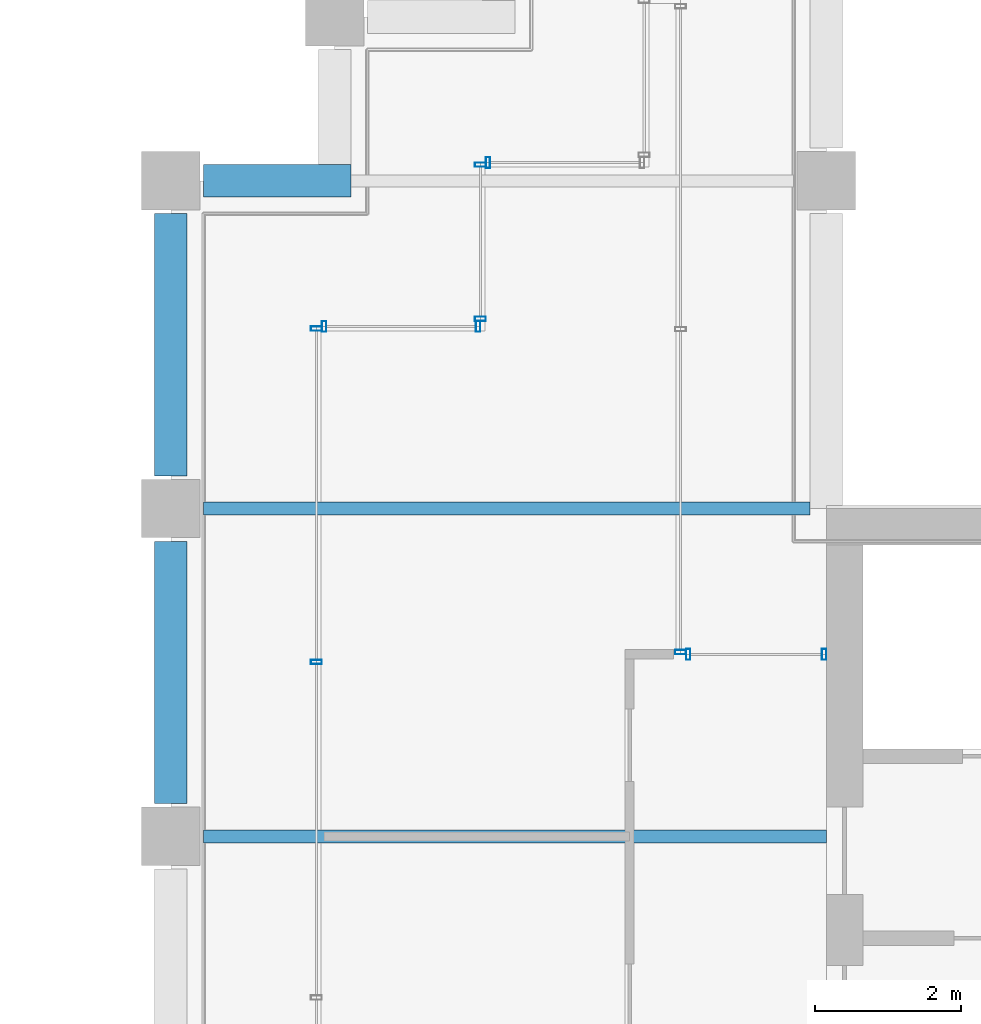
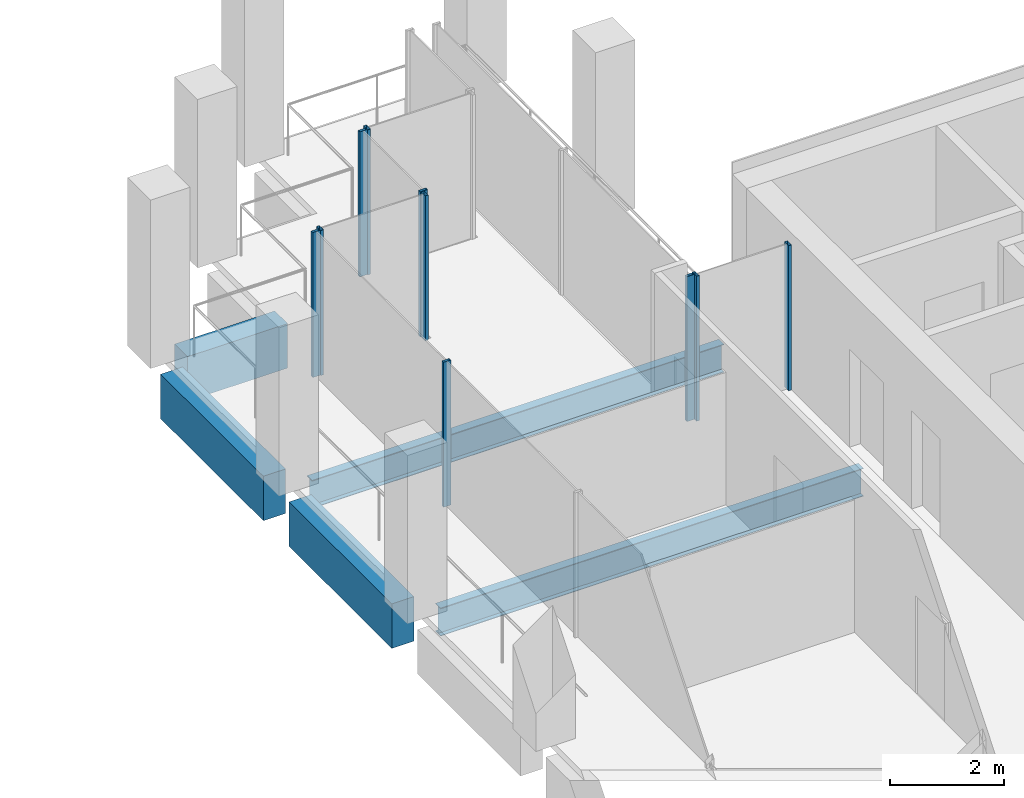
# One storey, part 32 of 40: 10 members, 5 beams, 6 elements without a shape of their own.
"""IFC4 building model written with IfcOpenShell, lengths in metres."""

from ifc_helpers import new_model, si_unit, direction, frame, origin, origin_2d, place, context, subcontext, project, spatial, rectangle, hollow_rectangle, i_section, extrude, material, material_profile, profile_set, type_object, element, aggregate, save


model = new_model("IFC4")

# Units and contexts
model_context = context("Model", 3, precision=1e-05, world=origin(), true_north=direction((0.0, 1.0)))
body_context = subcontext(model_context, "Body", "Model", "MODEL_VIEW")
ifc_project = project(units=[si_unit("LENGTHUNIT", "METRE"), si_unit("AREAUNIT", "SQUARE_METRE"), si_unit("VOLUMEUNIT", "CUBIC_METRE"), si_unit("PLANEANGLEUNIT", "RADIAN"), si_unit("MASSUNIT", "GRAM", prefix="KILO")], contexts=[model_context])

# Site, building, storey
site_placement = place(None, origin())
site = spatial("IfcSite", under=ifc_project, at=site_placement, CompositionType="ELEMENT")
building_placement = place(site_placement, origin())
building = spatial("IfcBuilding", under=site, at=building_placement, Name="Altepetl Exchange Towers", CompositionType="ELEMENT")
storey_placement = place(building_placement, frame((0.0, 0.0, 195.60009765625)))
storey = spatial("IfcBuildingStorey", under=building, at=storey_placement, Name="L49", CompositionType="ELEMENT", Elevation=195.60009765625)

# Beams
ifc_material_1 = material(Name="Steel S355", Category="steel")
ifc_material_profile_1 = material_profile(ifc_material_1, i_section(OverallWidth=0.177978515625, OverallDepth=0.59912109375, WebThickness=0.010009765625, FlangeThickness=0.0126953125, at=origin_2d()), Name="W24X55")
ifc_profile_set_1 = profile_set([ifc_material_profile_1], Name="Steel S355")
beam_type_1 = type_object("IfcBeamType", Name="Floor beam W24X55", PredefinedType="BEAM", material=ifc_profile_set_1)
beam_1_placement = place(storey_placement, frame((94.949951171875, 45.0, -0.44970703125), z_axis=(1.0, 0.0, 0.0), x_axis=(0.0, 1.0, 0.0)))
element("IfcBeam", 1, at=beam_1_placement, inside=storey, type_object=beam_type_1, Name="bm:B:L49:005", PredefinedType="BEAM", context=body_context, shape_type="SweptSolid", body=[
    extrude(i_section(OverallWidth=0.177978515625, OverallDepth=0.59912109375, WebThickness=0.010009765625, FlangeThickness=0.0126953125, at=origin_2d()), origin(), (0.0, 0.0, 1.0), 8.550048828125),
])
beam_2_placement = place(storey_placement, frame((94.949951171875, 49.5, -0.44970703125), z_axis=(1.0, 0.0, 0.0), x_axis=(0.0, 1.0, 0.0)))
element("IfcBeam", 2, at=beam_2_placement, inside=storey, type_object=beam_type_1, Name="bm:B:L49:006", PredefinedType="BEAM", context=body_context, shape_type="SweptSolid", body=[
    extrude(i_section(OverallWidth=0.177978515625, OverallDepth=0.59912109375, WebThickness=0.010009765625, FlangeThickness=0.0126953125, at=origin_2d()), origin(), (0.0, 0.0, 1.0), 8.324951171875),
])

# Curtain wall, members
ifc_material_2 = material(Name="Aluminium 6063-T6 glazing", Category="aluminium")
curtain_wall_type = type_object("IfcCurtainWallType", Name="Loggia glazing system", PredefinedType="NOTDEFINED", material=ifc_material_2)
curtain_wall_1_placement = place(storey_placement, origin())
curtain_wall_1 = element("IfcCurtainWall", 3, at=curtain_wall_1_placement, inside=storey, type_object=curtain_wall_type, Name="CW1 run", PredefinedType="NOTDEFINED")
ifc_material_3 = material(Name="Aluminium 6063-T6", Category="aluminium")
ifc_material_profile_2 = material_profile(ifc_material_3, hollow_rectangle(XDim=0.06005859375, YDim=0.14990234375, WallThickness=0.0029296875, at=origin_2d()), Name="Mullion 60x150 aluminium")
ifc_profile_set_2 = profile_set([ifc_material_profile_2], Name="Aluminium 6063-T6")
member_type = type_object("IfcMemberType", Name="Mullion 60x150 aluminium", PredefinedType="MULLION", material=ifc_profile_set_2)
member_1_placement = place(storey_placement, frame((103.469970703125, 47.5, 0.0), z_axis=(0.0, 0.0, 1.0), x_axis=(-1.0, 0.0, 0.0)))
member_1 = element("IfcMember", 4, at=member_1_placement, type_object=member_type, Name="MU1 mullion", PredefinedType="MULLION", context=body_context, shape_type="SweptSolid", body=[
    extrude(hollow_rectangle(XDim=0.06005859375, YDim=0.14990234375, WallThickness=0.0029296875, at=origin_2d()), origin(), (0.0, 0.0, 1.0), 3.099853515625),
])
member_2_placement = place(storey_placement, frame((101.60498046875, 47.5, 0.0), z_axis=(0.0, 0.0, 1.0), x_axis=(-1.0, 0.0, 0.0)))
member_2 = element("IfcMember", 5, at=member_2_placement, type_object=member_type, Name="MU1 mullion", PredefinedType="MULLION", context=body_context, shape_type="SweptSolid", body=[
    extrude(hollow_rectangle(XDim=0.06005859375, YDim=0.14990234375, WallThickness=0.0029296875, at=origin_2d()), origin(), (0.0, 0.0, 1.0), 3.099853515625),
])
aggregate(curtain_wall_1, [member_1, member_2])

# Curtain wall, member
curtain_wall_2_placement = place(storey_placement, origin())
curtain_wall_2 = element("IfcCurtainWall", 6, at=curtain_wall_2_placement, inside=storey, type_object=curtain_wall_type, Name="CW1 run", PredefinedType="NOTDEFINED")
member_3_placement = place(storey_placement, frame((101.5, 47.530029296875, 0.0), z_axis=(0.0, 0.0, 1.0), x_axis=(0.0, 1.0, 0.0)))
member_3 = element("IfcMember", 7, at=member_3_placement, type_object=member_type, Name="MU1 mullion", PredefinedType="MULLION", context=body_context, shape_type="SweptSolid", body=[
    extrude(hollow_rectangle(XDim=0.06005859375, YDim=0.14990234375, WallThickness=0.0029296875, at=origin_2d()), origin(), (0.0, 0.0, 1.0), 3.099853515625),
])
aggregate(curtain_wall_2, [member_3])

curtain_wall_3_placement = place(storey_placement, origin())
curtain_wall_3 = element("IfcCurtainWall", 8, at=curtain_wall_3_placement, inside=storey, type_object=curtain_wall_type, Name="CW1 run", PredefinedType="NOTDEFINED")
member_4_placement = place(storey_placement, frame((98.85498046875, 54.25, 0.0), z_axis=(0.0, 0.0, 1.0), x_axis=(-1.0, 0.0, 0.0)))
member_4 = element("IfcMember", 9, at=member_4_placement, type_object=member_type, Name="MU1 mullion", PredefinedType="MULLION", context=body_context, shape_type="SweptSolid", body=[
    extrude(hollow_rectangle(XDim=0.06005859375, YDim=0.14990234375, WallThickness=0.0029296875, at=origin_2d()), origin(), (0.0, 0.0, 1.0), 3.099853515625),
])
aggregate(curtain_wall_3, [member_4])

# Curtain wall, members
curtain_wall_4_placement = place(storey_placement, origin())
curtain_wall_4 = element("IfcCurtainWall", 10, at=curtain_wall_4_placement, inside=storey, type_object=curtain_wall_type, Name="CW1 run", PredefinedType="NOTDEFINED")
member_5_placement = place(storey_placement, frame((98.75, 54.219970703125, 0.0), z_axis=(0.0, 0.0, 1.0), x_axis=(0.0, -1.0, 0.0)))
member_5 = element("IfcMember", 11, at=member_5_placement, type_object=member_type, Name="MU1 mullion", PredefinedType="MULLION", context=body_context, shape_type="SweptSolid", body=[
    extrude(hollow_rectangle(XDim=0.06005859375, YDim=0.14990234375, WallThickness=0.0029296875, at=origin_2d()), origin(), (0.0, 0.0, 1.0), 3.099853515625),
])
member_6_placement = place(storey_placement, frame((98.75, 52.10498046875, 0.0), z_axis=(0.0, 0.0, 1.0), x_axis=(0.0, -1.0, 0.0)))
member_6 = element("IfcMember", 12, at=member_6_placement, type_object=member_type, Name="MU1 mullion", PredefinedType="MULLION", context=body_context, shape_type="SweptSolid", body=[
    extrude(hollow_rectangle(XDim=0.06005859375, YDim=0.14990234375, WallThickness=0.0029296875, at=origin_2d()), origin(), (0.0, 0.0, 1.0), 3.099853515625),
])
aggregate(curtain_wall_4, [member_5, member_6])

curtain_wall_5_placement = place(storey_placement, origin())
curtain_wall_5 = element("IfcCurtainWall", 13, at=curtain_wall_5_placement, inside=storey, type_object=curtain_wall_type, Name="CW1 run", PredefinedType="NOTDEFINED")
member_7_placement = place(storey_placement, frame((98.719970703125, 52.0, 0.0), z_axis=(0.0, 0.0, 1.0), x_axis=(-1.0, 0.0, 0.0)))
member_7 = element("IfcMember", 14, at=member_7_placement, type_object=member_type, Name="MU1 mullion", PredefinedType="MULLION", context=body_context, shape_type="SweptSolid", body=[
    extrude(hollow_rectangle(XDim=0.06005859375, YDim=0.14990234375, WallThickness=0.0029296875, at=origin_2d()), origin(), (0.0, 0.0, 1.0), 3.099853515625),
])
member_8_placement = place(storey_placement, frame((96.60498046875, 52.0, 0.0), z_axis=(0.0, 0.0, 1.0), x_axis=(-1.0, 0.0, 0.0)))
member_8 = element("IfcMember", 15, at=member_8_placement, type_object=member_type, Name="MU1 mullion", PredefinedType="MULLION", context=body_context, shape_type="SweptSolid", body=[
    extrude(hollow_rectangle(XDim=0.06005859375, YDim=0.14990234375, WallThickness=0.0029296875, at=origin_2d()), origin(), (0.0, 0.0, 1.0), 3.099853515625),
])
aggregate(curtain_wall_5, [member_7, member_8])

curtain_wall_6_placement = place(storey_placement, origin())
curtain_wall_6 = element("IfcCurtainWall", 16, at=curtain_wall_6_placement, inside=storey, type_object=curtain_wall_type, Name="CW1 run", PredefinedType="NOTDEFINED")
member_9_placement = place(storey_placement, frame((96.5, 51.969970703125, 0.0), z_axis=(0.0, 0.0, 1.0), x_axis=(0.0, -1.0, 0.0)))
member_9 = element("IfcMember", 17, at=member_9_placement, type_object=member_type, Name="MU1 mullion", PredefinedType="MULLION", context=body_context, shape_type="SweptSolid", body=[
    extrude(hollow_rectangle(XDim=0.06005859375, YDim=0.14990234375, WallThickness=0.0029296875, at=origin_2d()), origin(), (0.0, 0.0, 1.0), 3.099853515625),
])
member_10_placement = place(storey_placement, frame((96.5, 47.393798828125, 0.0), z_axis=(0.0, 0.0, 1.0), x_axis=(0.0, -1.0, 0.0)))
member_10 = element("IfcMember", 18, at=member_10_placement, type_object=member_type, Name="MU1 mullion", PredefinedType="MULLION", context=body_context, shape_type="SweptSolid", body=[
    extrude(hollow_rectangle(XDim=0.06005859375, YDim=0.14990234375, WallThickness=0.0029296875, at=origin_2d()), origin(), (0.0, 0.0, 1.0), 3.099853515625),
])
aggregate(curtain_wall_6, [member_9, member_10])

# Beams
ifc_material_4 = material(Name="Concrete C50/60 precast with cantera rosa facing", Category="concrete")
ifc_material_profile_3 = material_profile(ifc_material_4, rectangle(XDim=0.449951171875, YDim=0.949951171875, at=origin_2d()), Name="450 x 950")
ifc_profile_set_3 = profile_set([ifc_material_profile_3], Name="Concrete C50/60 precast with cantera rosa facing")
beam_type_2 = type_object("IfcBeamType", Name="Spandrel beam 450x950 cantera rosa", PredefinedType="SPANDREL", material=ifc_profile_set_3)
beam_3_placement = place(storey_placement, frame((96.97509765625, 54.0, -0.625), z_axis=(-1.0, 0.0, 0.0), x_axis=(0.0, -1.0, 0.0)))
element("IfcBeam", 19, at=beam_3_placement, inside=storey, type_object=beam_type_2, Name="sp:B:L49:014", PredefinedType="SPANDREL", context=body_context, shape_type="SweptSolid", body=[
    extrude(rectangle(XDim=0.449951171875, YDim=0.949951171875, at=origin_2d()), origin(), (0.0, 0.0, 1.0), 2.025146484375),
])
for number, where, z_axis, x_axis, name in (
    (20, (94.5, 53.550048828125, -0.625), (0.0, -1.0, 0.0), (1.0, 0.0, 0.0), "sp:B:L49:015"),
    (21, (94.5, 49.050048828125, -0.625), (0.0, -1.0, 0.0), (1.0, 0.0, 0.0), "sp:B:L49:016"),
):
    element("IfcBeam", number, at=place(storey_placement, frame(where, z_axis=z_axis, x_axis=x_axis)), inside=storey, type_object=beam_type_2, Name=name, PredefinedType="SPANDREL", context=body_context, shape_type="SweptSolid", body=[
        extrude(rectangle(XDim=0.449951171875, YDim=0.949951171875, at=origin_2d()), origin(), (0.0, 0.0, 1.0), 3.60009765625),
    ])

save(model, "model.ifc")
